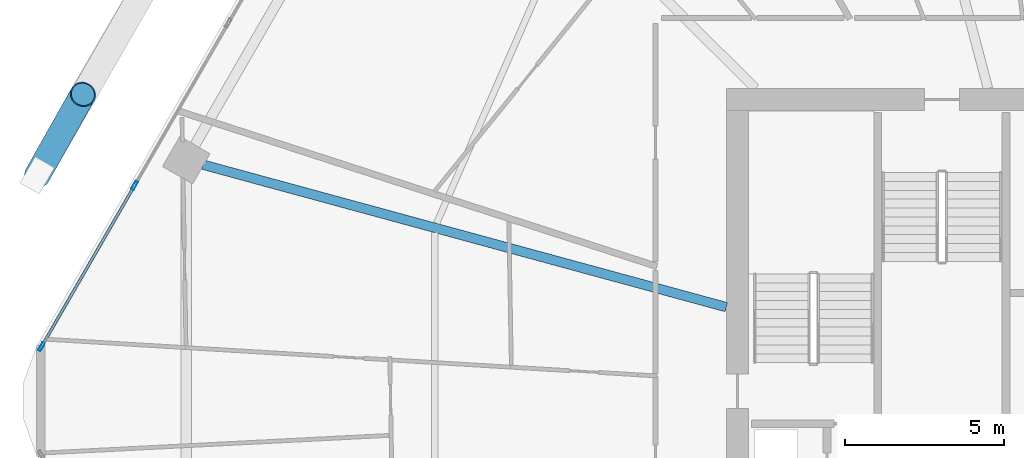
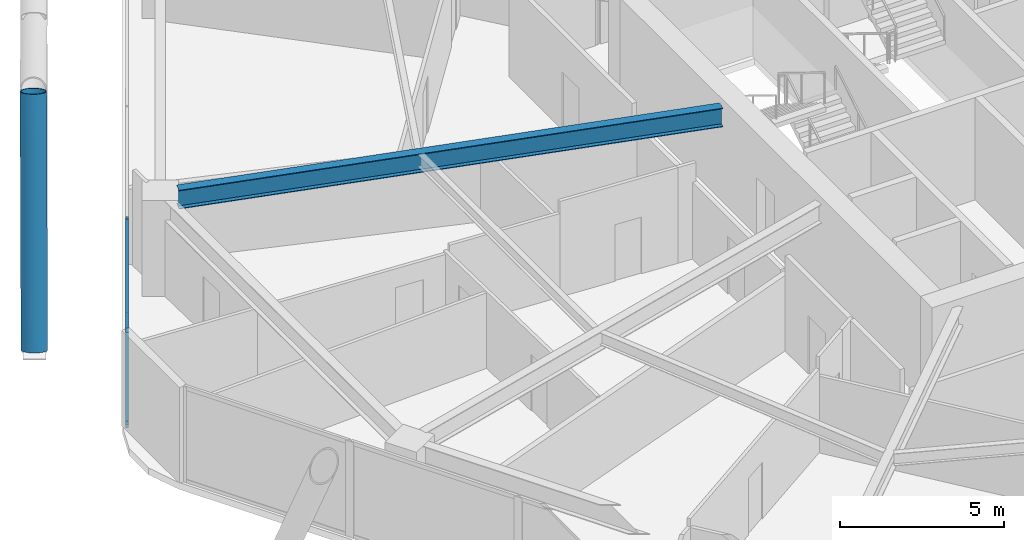
# One storey, part 15 of 35: 5 members, 1 beam, 1 element without a shape of its own.
"""IFC4 building model written with IfcOpenShell, lengths in metres."""

from ifc_helpers import new_model, si_unit, direction, frame, origin, origin_2d, place, context, subcontext, project, spatial, hollow_rectangle, hollow_circle, i_section, extrude, material, material_profile, profile_set, type_object, element, aggregate, save


model = new_model("IFC4")

# Units and contexts
model_context = context("Model", 3, precision=1e-05, world=origin(), true_north=direction((0.0, 1.0)))
body_context = subcontext(model_context, "Body", "Model", "MODEL_VIEW")
ifc_project = project(units=[si_unit("LENGTHUNIT", "METRE"), si_unit("AREAUNIT", "SQUARE_METRE"), si_unit("VOLUMEUNIT", "CUBIC_METRE"), si_unit("PLANEANGLEUNIT", "RADIAN"), si_unit("MASSUNIT", "GRAM", prefix="KILO")], contexts=[model_context])

# Site, building, storey
site_placement = place(None, origin())
site = spatial("IfcSite", under=ifc_project, at=site_placement, CompositionType="ELEMENT")
building_placement = place(site_placement, origin())
building = spatial("IfcBuilding", under=site, at=building_placement, Name="Zuhravey Tower", CompositionType="ELEMENT")
storey_placement = place(building_placement, frame((0.0, 0.0, 92.39990234375)))
storey = spatial("IfcBuildingStorey", under=building, at=storey_placement, Name="L22", CompositionType="ELEMENT", Elevation=92.39990234375)

# Curtain wall, members
ifc_material_1 = material(Name="Thermally broken anodised aluminium", Category="aluminium")
curtain_wall_type = type_object("IfcCurtainWallType", Name="Zone 1-2 Residential Curtain Wall CW3", PredefinedType="NOTDEFINED", material=ifc_material_1)
curtain_wall_placement = place(storey_placement, origin())
curtain_wall = element("IfcCurtainWall", 1, at=curtain_wall_placement, inside=storey, type_object=curtain_wall_type, Name="L22 CW3 CW-L22-F3-1", PredefinedType="NOTDEFINED")
ifc_material_2 = material(Name="Anodised aluminium", Category="aluminium")
ifc_material_profile_1 = material_profile(ifc_material_2, hollow_rectangle(XDim=0.090087890625, YDim=0.284912109375, WallThickness=0.0048828125, at=origin_2d()), Name="ALU-RHS-90x285x5")
ifc_profile_set_1 = profile_set([ifc_material_profile_1], Name="Anodised aluminium")
member_type_1 = type_object("IfcMemberType", Name="Curtain-Wall Mullion 90x180", PredefinedType="MULLION", material=ifc_profile_set_1)
member_1_placement = place(storey_placement, frame((3.5439453125, 33.701416015625, 0.0), z_axis=(0.0, 0.0, 1.0), x_axis=(-0.86602552265, 0.499999794119, 0.0)))
member_1 = element("IfcMember", 2, at=member_1_placement, type_object=member_type_1, Name="CW3 mullion 1", PredefinedType="MULLION", context=body_context, shape_type="SweptSolid", body=[
    extrude(hollow_rectangle(XDim=0.090087890625, YDim=0.284912109375, WallThickness=0.0048828125, at=origin_2d()), origin(), (0.0, 0.0, 1.0), 3.550048828125),
])
member_2_placement = place(storey_placement, frame((6.4814453125, 38.789306640625, 0.0), z_axis=(0.0, 0.0, 1.0), x_axis=(-0.86602552265, 0.499999794119, 0.0)))
member_2 = element("IfcMember", 3, at=member_2_placement, type_object=member_type_1, Name="CW3 mullion 2", PredefinedType="MULLION", context=body_context, shape_type="SweptSolid", body=[
    extrude(hollow_rectangle(XDim=0.090087890625, YDim=0.284912109375, WallThickness=0.0048828125, at=origin_2d()), origin(), (0.0, 0.0, 1.0), 3.550048828125),
])
ifc_material_profile_2 = material_profile(ifc_material_2, hollow_rectangle(XDim=0.090087890625, YDim=0.14990234375, WallThickness=0.0048828125, at=origin_2d()), Name="ALU-RHS-90x150x5")
ifc_profile_set_2 = profile_set([ifc_material_profile_2], Name="Anodised aluminium")
member_type_2 = type_object("IfcMemberType", Name="Curtain-Wall Transom 90x150", PredefinedType="USERDEFINED", material=ifc_profile_set_2)
member_3_placement = place(storey_placement, frame((3.56640625, 33.740478515625, 0.045166015625), z_axis=(0.500024450573, 0.866011286779, 0.0), x_axis=(-0.866011286779, 0.500024450573, 0.0)))
member_3 = element("IfcMember", 4, at=member_3_placement, type_object=member_type_2, Name="CW3 transom 1.1", ObjectType="TRANSOM", PredefinedType="USERDEFINED", context=body_context, shape_type="SweptSolid", body=[
    extrude(hollow_rectangle(XDim=0.090087890625, YDim=0.14990234375, WallThickness=0.0048828125, at=origin_2d()), origin(), (0.0, 0.0, 1.0), 5.784912109375),
])
member_4_placement = place(storey_placement, frame((3.56640625, 33.740478515625, 3.505126953125), z_axis=(0.500024450573, 0.866011286779, 0.0), x_axis=(-0.866011286779, 0.500024450573, 0.0)))
member_4 = element("IfcMember", 5, at=member_4_placement, type_object=member_type_2, Name="CW3 transom 1.2", ObjectType="TRANSOM", PredefinedType="USERDEFINED", context=body_context, shape_type="SweptSolid", body=[
    extrude(hollow_rectangle(XDim=0.090087890625, YDim=0.14990234375, WallThickness=0.0048828125, at=origin_2d()), origin(), (0.0, 0.0, 1.0), 5.784912109375),
])
aggregate(curtain_wall, [member_1, member_2, member_3, member_4])

# Member
ifc_material_3 = material(Name="Steel SM460", Category="steel")
ifc_material_profile_3 = material_profile(ifc_material_3, hollow_circle(Radius=0.406494140625, WallThickness=0.035888671875, at=origin_2d()), Name="CHS-812.8x36")
ifc_profile_set_3 = profile_set([ifc_material_profile_3], Name="Steel SM460")
member_type_3 = type_object("IfcMemberType", Name="Exoskeleton Zone 1 Diagrid CHS813x36", PredefinedType="BRACE", material=ifc_profile_set_3)
member_5_placement = place(storey_placement, frame((3.414794921875, 39.117919921875, -0.44189453125), z_axis=(0.177350373779, 0.314566412207, 0.932520679252), x_axis=(-0.871093800556, 0.49111667721, 0.0)))
element("IfcMember", 6, at=member_5_placement, inside=storey, type_object=member_type_3, Name="L22 Face 3 Diagrid Brace 4", PredefinedType="BRACE", context=body_context, shape_type="SweptSolid", body=[
    extrude(hollow_circle(Radius=0.406494140625, WallThickness=0.035888671875, at=origin_2d()), origin(), (0.0, 0.0, 1.0), 8.102783203125),
])

# Beam
ifc_material_4 = material(Name="Steel SM355", Category="steel")
ifc_material_profile_4 = material_profile(ifc_material_4, i_section(OverallWidth=0.300048828125, OverallDepth=0.699951171875, WebThickness=0.012939453125, FlangeThickness=0.02392578125, at=origin_2d()), Name="H-700x300x13x24")
ifc_profile_set_4 = profile_set([ifc_material_profile_4], Name="Steel SM355")
beam_type = type_object("IfcBeamType", Name="Radial Primary Girder H700x300", PredefinedType="BEAM", material=ifc_profile_set_4)
beam_placement = place(storey_placement, frame((25.14697265625, 34.954345703125, 3.2001953125), z_axis=(-0.964893166225, 0.262642680791, 0.0), x_axis=(-0.262642680791, -0.964893166225, 0.0)))
element("IfcBeam", 7, at=beam_placement, inside=storey, type_object=beam_type, Name="L22 RG1 BM-L22-RAD-06", PredefinedType="BEAM", context=body_context, shape_type="SweptSolid", body=[
    extrude(i_section(OverallWidth=0.300048828125, OverallDepth=0.699951171875, WebThickness=0.012939453125, FlangeThickness=0.02392578125, at=origin_2d()), origin(), (0.0, 0.0, 1.0), 17.102783203125),
])

save(model, "model.ifc")
